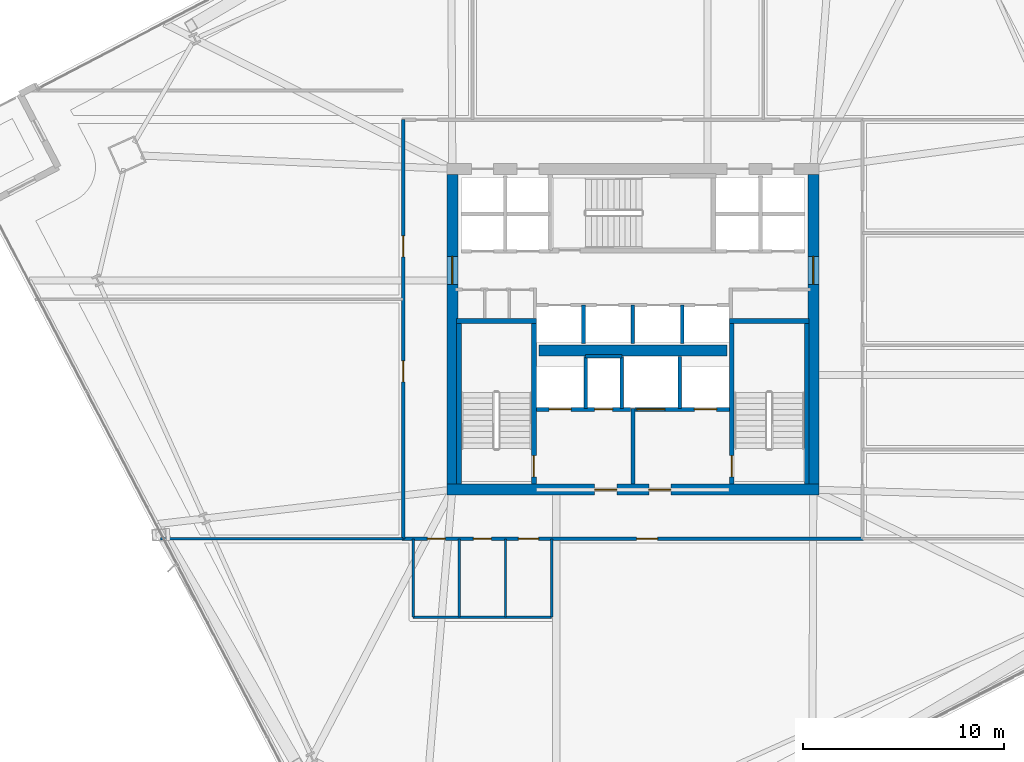
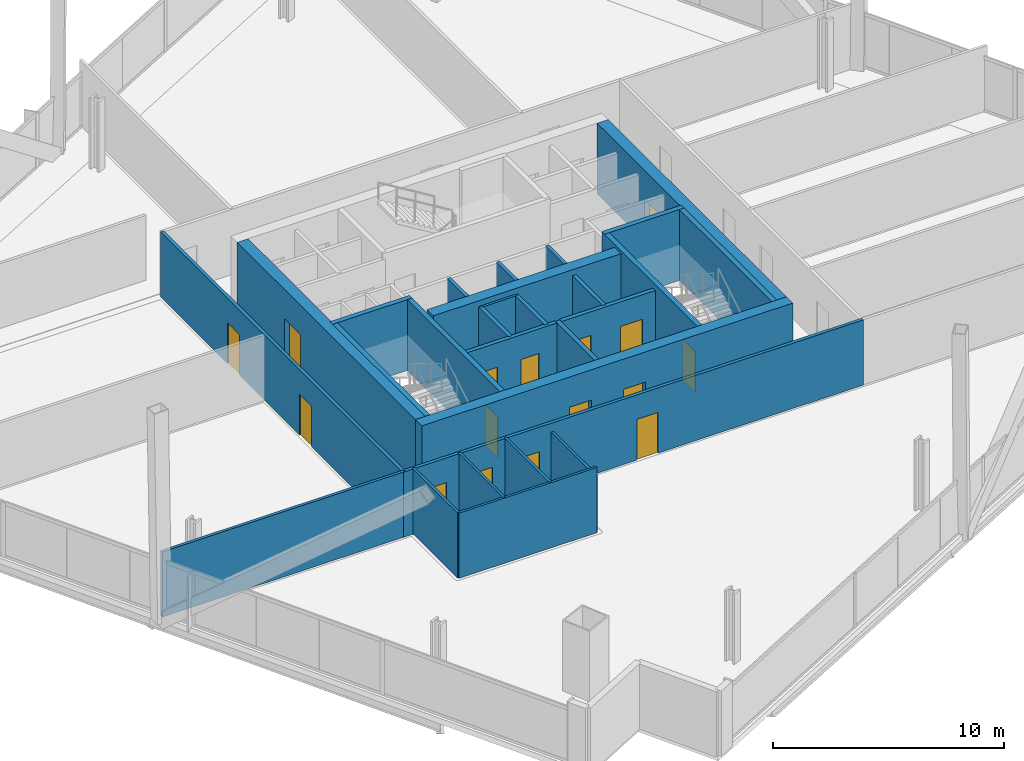
# One storey, part 26 of 33: 28 walls, 16 doors, 16 openings.
"""IFC4 building model written with IfcOpenShell, lengths in metres."""

from ifc_helpers import new_model, si_unit, direction, frame, frame_2d, origin, place, context, subcontext, project, spatial, rectangle, extrude, material, layer, layer_set, type_object, element, fill, save


model = new_model("IFC4")

# Units and contexts
model_context = context("Model", 3, precision=1e-05, world=origin(), true_north=direction((0.0, 1.0)))
body_context = subcontext(model_context, "Body", "Model", "MODEL_VIEW")
ifc_project = project(units=[si_unit("LENGTHUNIT", "METRE"), si_unit("AREAUNIT", "SQUARE_METRE"), si_unit("VOLUMEUNIT", "CUBIC_METRE"), si_unit("PLANEANGLEUNIT", "RADIAN"), si_unit("MASSUNIT", "GRAM", prefix="KILO")], contexts=[model_context])

# Site, building, storey
site_placement = place(None, origin())
site = spatial("IfcSite", under=ifc_project, at=site_placement, CompositionType="ELEMENT")
building_placement = place(site_placement, origin())
building = spatial("IfcBuilding", under=site, at=building_placement, Name="Haldenkirk Collegiate Tower", CompositionType="ELEMENT")
storey_placement = place(building_placement, frame((0.0, 0.0, 120.449951171875)))
storey = spatial("IfcBuildingStorey", under=building, at=storey_placement, Name="L29", CompositionType="ELEMENT", Elevation=120.449951171875)

# Wall, openings, doors
ifc_material_1 = material(Name="Concrete f'c 70 MPa", Category="concrete")
ifc_layer_1 = layer(ifc_material_1, 0.550048828125)
ifc_layer_set_1 = layer_set([ifc_layer_1], Name="Concrete f'c 70 MPa")
wall_type_1 = type_object("IfcWallType", Name="WL-CORE-550", PredefinedType="SHEAR", material=ifc_layer_set_1)
wall_1_placement = place(storey_placement, frame((26.72509765625, 18.0, 0.0), z_axis=(0.0, 0.0, 1.0), x_axis=(1.0, 0.0, 0.0)))
wall_1 = element("IfcWall", 1, at=wall_1_placement, inside=storey, type_object=wall_type_1, Name="L29 central core shear wall S", PredefinedType="SHEAR", context=body_context, shape_type="SweptSolid", body=[
    extrude(rectangle(XDim=18.5498046875, YDim=0.550048828125, at=frame_2d((9.27490234375, 0.0))), origin(), (0.0, 0.0, 1.0), 3.75),
])
opening_1_placement = place(wall_1_placement, frame((7.375, 0.0, 0.0)))
opening_1 = element("IfcOpeningElement", 2, at=opening_1_placement, cuts=wall_1, Name="Opening D-02", PredefinedType="OPENING", context=body_context, shape_type="SweptSolid", body=[
    extrude(rectangle(XDim=1.10009765625, YDim=2.14990234375, at=frame_2d((0.550048828125, 1.074951171875))), frame((0.0, 0.284912109375, 0.0), z_axis=(0.0, -1.0, 0.0), x_axis=(1.0, 0.0, 0.0)), (0.0, 0.0, 1.0), 0.570068359375),
])
opening_2_placement = place(wall_1_placement, frame((10.074951171875, 0.0, 0.0)))
opening_2 = element("IfcOpeningElement", 3, at=opening_2_placement, cuts=wall_1, Name="Opening D-02", PredefinedType="OPENING", context=body_context, shape_type="SweptSolid", body=[
    extrude(rectangle(XDim=1.10009765625, YDim=2.14990234375, at=frame_2d((0.550048828125, 1.074951171875))), frame((0.0, 0.284912109375, 0.0), z_axis=(0.0, -1.0, 0.0), x_axis=(1.0, 0.0, 0.0)), (0.0, 0.0, 1.0), 0.570068359375),
])
ifc_material_2 = material(Name="Galvanized fire-rated hollow steel door", Category="steel")
ifc_layer_2 = layer(ifc_material_2, 0.06005859375)
ifc_layer_set_2 = layer_set([ifc_layer_2], Name="Galvanized fire-rated hollow steel door")
door_type_1 = type_object("IfcDoorType", Name="DR-STAIR-FD90-1100", OperationType="NOTDEFINED", PredefinedType="DOOR", material=ifc_layer_set_2)
door_1_placement = place(opening_1_placement, origin())
door_1 = element("IfcDoor", 4, at=door_1_placement, inside=storey, type_object=door_type_1, Name="L29 Firefighting Lobby 1 door", OperationType="SINGLE_SWING_RIGHT", OverallHeight=2.14990234375, OverallWidth=1.10009765625, PredefinedType="DOOR", context=body_context, shape_type="SweptSolid", body=[
    extrude(rectangle(XDim=1.10009765625, YDim=2.14990234375, at=frame_2d((0.550048828125, 1.074951171875))), frame((0.0, 0.02490234375, 0.0), z_axis=(0.0, -1.0, 0.0), x_axis=(1.0, 0.0, 0.0)), (0.0, 0.0, 1.0), 0.050048828125),
])
fill(opening_1, door_1)
door_2_placement = place(opening_2_placement, origin())
door_2 = element("IfcDoor", 5, at=door_2_placement, inside=storey, type_object=door_type_1, Name="L29 Firefighting Lobby 2 door", OperationType="SINGLE_SWING_LEFT", OverallHeight=2.14990234375, OverallWidth=1.10009765625, PredefinedType="DOOR", context=body_context, shape_type="SweptSolid", body=[
    extrude(rectangle(XDim=1.10009765625, YDim=2.14990234375, at=frame_2d((0.550048828125, 1.074951171875))), frame((0.0, 0.02490234375, 0.0), z_axis=(0.0, -1.0, 0.0), x_axis=(1.0, 0.0, 0.0)), (0.0, 0.0, 1.0), 0.050048828125),
])
fill(opening_2, door_2)

# Wall, opening, door
wall_2_placement = place(storey_placement, frame((27.0, 18.27490234375, 0.0), z_axis=(0.0, 0.0, 1.0), x_axis=(0.0, 1.0, 0.0)))
wall_2 = element("IfcWall", 6, at=wall_2_placement, inside=storey, type_object=wall_type_1, Name="L29 central core shear wall W", PredefinedType="SHEAR", context=body_context, shape_type="SweptSolid", body=[
    extrude(rectangle(XDim=15.4501953125, YDim=0.550048828125, at=frame_2d((7.72509765625, 0.0))), origin(), (0.0, 0.0, 1.0), 3.75),
])
opening_3_placement = place(wall_2_placement, frame((9.965087890625, 0.0, 0.0)))
opening_3 = element("IfcOpeningElement", 7, at=opening_3_placement, cuts=wall_2, Name="Opening D-03", PredefinedType="OPENING", context=body_context, shape_type="SweptSolid", body=[
    extrude(rectangle(XDim=1.39990234375, YDim=2.199951171875, at=frame_2d((0.699951171875, 1.10009765625))), frame((0.0, 0.284912109375, 0.0), z_axis=(0.0, -1.0, 0.0), x_axis=(1.0, 0.0, 0.0)), (0.0, 0.0, 1.0), 0.570068359375),
])
ifc_layer_3 = layer(ifc_material_2, 0.06005859375)
ifc_layer_set_3 = layer_set([ifc_layer_3], Name="Galvanized fire-rated hollow steel door")
door_type_2 = type_object("IfcDoorType", Name="DR-LOBBY-FD90-1400", OperationType="NOTDEFINED", PredefinedType="DOOR", material=ifc_layer_set_3)
door_3_placement = place(opening_3_placement, origin())
door_3 = element("IfcDoor", 8, at=door_3_placement, inside=storey, type_object=door_type_2, Name="L29 west lift lobby portal", OperationType="DOUBLE_DOOR_SINGLE_SWING", OverallHeight=2.199951171875, OverallWidth=1.39990234375, PredefinedType="DOOR", context=body_context, shape_type="SweptSolid", body=[
    extrude(rectangle(XDim=1.39990234375, YDim=2.199951171875, at=frame_2d((0.699951171875, 1.10009765625))), frame((0.0, 0.02490234375, 0.0), z_axis=(0.0, -1.0, 0.0), x_axis=(1.0, 0.0, 0.0)), (0.0, 0.0, 1.0), 0.050048828125),
])
fill(opening_3, door_3)

wall_3_placement = place(storey_placement, frame((45.0, 18.27490234375, 0.0), z_axis=(0.0, 0.0, 1.0), x_axis=(0.0, 1.0, 0.0)))
wall_3 = element("IfcWall", 9, at=wall_3_placement, inside=storey, type_object=wall_type_1, Name="L29 central core shear wall E", PredefinedType="SHEAR", context=body_context, shape_type="SweptSolid", body=[
    extrude(rectangle(XDim=15.4501953125, YDim=0.550048828125, at=frame_2d((7.72509765625, 0.0))), origin(), (0.0, 0.0, 1.0), 3.75),
])
opening_4_placement = place(wall_3_placement, frame((9.965087890625, 0.0, 0.0)))
opening_4 = element("IfcOpeningElement", 10, at=opening_4_placement, cuts=wall_3, Name="Opening D-03", PredefinedType="OPENING", context=body_context, shape_type="SweptSolid", body=[
    extrude(rectangle(XDim=1.39990234375, YDim=2.199951171875, at=frame_2d((0.699951171875, 1.10009765625))), frame((0.0, 0.284912109375, 0.0), z_axis=(0.0, -1.0, 0.0), x_axis=(1.0, 0.0, 0.0)), (0.0, 0.0, 1.0), 0.570068359375),
])
door_4_placement = place(opening_4_placement, origin())
door_4 = element("IfcDoor", 11, at=door_4_placement, inside=storey, type_object=door_type_2, Name="L29 east lift lobby portal", OperationType="DOUBLE_DOOR_SINGLE_SWING", OverallHeight=2.199951171875, OverallWidth=1.39990234375, PredefinedType="DOOR", context=body_context, shape_type="SweptSolid", body=[
    extrude(rectangle(XDim=1.39990234375, YDim=2.199951171875, at=frame_2d((0.699951171875, 1.10009765625))), frame((0.0, 0.02490234375, 0.0), z_axis=(0.0, -1.0, 0.0), x_axis=(1.0, 0.0, 0.0)), (0.0, 0.0, 1.0), 0.050048828125),
])
fill(opening_4, door_4)

# Wall
wall_4_placement = place(storey_placement, frame((31.31005859375, 24.949951171875, 0.0), z_axis=(0.0, 0.0, 1.0), x_axis=(1.0, 0.0, 0.0)))
element("IfcWall", 12, at=wall_4_placement, inside=storey, type_object=wall_type_1, Name="L29 central core spine shear wall", PredefinedType="SHEAR", context=body_context, shape_type="SweptSolid", body=[
    extrude(rectangle(XDim=9.3798828125, YDim=0.550048828125, at=frame_2d((4.68994140625, 0.0))), origin(), (0.0, 0.0, 1.0), 3.75),
])

# Wall, openings, doors
ifc_material_3 = material(Name="Acoustic fire-rated gypsum partition", Category="concrete")
ifc_layer_4 = layer(ifc_material_3, 0.159912109375)
ifc_layer_set_4 = layer_set([ifc_layer_4], Name="Acoustic fire-rated gypsum partition")
wall_type_2 = type_object("IfcWallType", Name="WL-INT-CORR-160", PredefinedType="PARTITIONING", material=ifc_layer_set_4)
wall_5_placement = place(storey_placement, frame((24.5, 15.550048828125, 0.0), z_axis=(0.0, 0.0, 1.0), x_axis=(1.0, 0.0, 0.0)))
wall_5 = element("IfcWall", 13, at=wall_5_placement, inside=storey, type_object=wall_type_2, Name="L29 interior partition IW-L29-CS", PredefinedType="PARTITIONING", context=body_context, shape_type="SweptSolid", body=[
    extrude(rectangle(XDim=23.0, YDim=0.159912109375, at=frame_2d((11.5, 0.0))), origin(), (0.0, 0.0, 1.0), 3.449951171875),
])
opening_5_placement = place(wall_5_placement, frame((1.25, 0.0, 0.0)))
opening_5 = element("IfcOpeningElement", 14, at=opening_5_placement, cuts=wall_5, Name="Opening D-13", PredefinedType="OPENING", context=body_context, shape_type="SweptSolid", body=[
    extrude(rectangle(XDim=0.89990234375, YDim=2.14990234375, at=frame_2d((0.449951171875, 1.074951171875))), frame((0.0, 0.08984375, 0.0), z_axis=(0.0, -1.0, 0.0), x_axis=(1.0, 0.0, 0.0)), (0.0, 0.0, 1.0), 0.179931640625),
])
opening_6_placement = place(wall_5_placement, frame((3.550048828125, 0.0, 0.0)))
opening_6 = element("IfcOpeningElement", 15, at=opening_6_placement, cuts=wall_5, Name="Opening D-13", PredefinedType="OPENING", context=body_context, shape_type="SweptSolid", body=[
    extrude(rectangle(XDim=0.89990234375, YDim=2.14990234375, at=frame_2d((0.449951171875, 1.074951171875))), frame((0.0, 0.08984375, 0.0), z_axis=(0.0, -1.0, 0.0), x_axis=(1.0, 0.0, 0.0)), (0.0, 0.0, 1.0), 0.179931640625),
])
opening_7_placement = place(wall_5_placement, frame((5.800048828125, 0.0, 0.0)))
opening_7 = element("IfcOpeningElement", 16, at=opening_7_placement, cuts=wall_5, Name="Opening D-14", PredefinedType="OPENING", context=body_context, shape_type="SweptSolid", body=[
    extrude(rectangle(XDim=1.0, YDim=2.14990234375, at=frame_2d((0.5, 1.074951171875))), frame((0.0, 0.08984375, 0.0), z_axis=(0.0, -1.0, 0.0), x_axis=(1.0, 0.0, 0.0)), (0.0, 0.0, 1.0), 0.179931640625),
])
opening_8_placement = place(wall_5_placement, frame((11.68896484375, 0.0, 0.0)))
opening_8 = element("IfcOpeningElement", 17, at=opening_8_placement, cuts=wall_5, Name="Opening D-09", PredefinedType="OPENING", context=body_context, shape_type="SweptSolid", body=[
    extrude(rectangle(XDim=1.050048828125, YDim=2.14990234375, at=frame_2d((0.52490234375, 1.074951171875))), frame((0.0, 0.08984375, 0.0), z_axis=(0.0, -1.0, 0.0), x_axis=(1.0, 0.0, 0.0)), (0.0, 0.0, 1.0), 0.179931640625),
])
ifc_material_4 = material(Name="Solid-core architectural oak fire door", Category="wood")
ifc_layer_5 = layer(ifc_material_4, 0.06005859375)
ifc_layer_set_5 = layer_set([ifc_layer_5], Name="Solid-core architectural oak fire door")
door_type_3 = type_object("IfcDoorType", Name="DR-INT-ACC-1000", OperationType="NOTDEFINED", PredefinedType="DOOR", material=ifc_layer_set_5)
door_5_placement = place(opening_7_placement, origin())
door_5 = element("IfcDoor", 18, at=door_5_placement, inside=storey, type_object=door_type_3, Name="L29 Accessible WC door", OperationType="SINGLE_SWING_LEFT", OverallHeight=2.14990234375, OverallWidth=1.0, PredefinedType="DOOR", context=body_context, shape_type="SweptSolid", body=[
    extrude(rectangle(XDim=1.0, YDim=2.14990234375, at=frame_2d((0.5, 1.074951171875))), frame((0.0, 0.02490234375, 0.0), z_axis=(0.0, -1.0, 0.0), x_axis=(1.0, 0.0, 0.0)), (0.0, 0.0, 1.0), 0.050048828125),
])
fill(opening_7, door_5)
ifc_layer_6 = layer(ifc_material_4, 0.06005859375)
ifc_layer_set_6 = layer_set([ifc_layer_6], Name="Solid-core architectural oak fire door")
door_type_4 = type_object("IfcDoorType", Name="DR-INT-FD60-1050", OperationType="NOTDEFINED", PredefinedType="DOOR", material=ifc_layer_set_6)
door_6_placement = place(opening_8_placement, origin())
door_6 = element("IfcDoor", 19, at=door_6_placement, inside=storey, type_object=door_type_4, Name="L29 Hospitality Tea Kitchen 1 door", OperationType="SINGLE_SWING_RIGHT", OverallHeight=2.14990234375, OverallWidth=1.050048828125, PredefinedType="DOOR", context=body_context, shape_type="SweptSolid", body=[
    extrude(rectangle(XDim=1.050048828125, YDim=2.14990234375, at=frame_2d((0.52490234375, 1.074951171875))), frame((0.0, 0.02490234375, 0.0), z_axis=(0.0, -1.0, 0.0), x_axis=(1.0, 0.0, 0.0)), (0.0, 0.0, 1.0), 0.050048828125),
])
fill(opening_8, door_6)
ifc_layer_7 = layer(ifc_material_4, 0.06005859375)
ifc_layer_set_7 = layer_set([ifc_layer_7], Name="Solid-core architectural oak fire door")
door_type_5 = type_object("IfcDoorType", Name="DR-INT-STD-900", OperationType="NOTDEFINED", PredefinedType="DOOR", material=ifc_layer_set_7)
door_7_placement = place(opening_5_placement, origin())
door_7 = element("IfcDoor", 20, at=door_7_placement, inside=storey, type_object=door_type_5, Name="L29 Male WC door", OperationType="SINGLE_SWING_LEFT", OverallHeight=2.14990234375, OverallWidth=0.89990234375, PredefinedType="DOOR", context=body_context, shape_type="SweptSolid", body=[
    extrude(rectangle(XDim=0.89990234375, YDim=2.14990234375, at=frame_2d((0.449951171875, 1.074951171875))), frame((0.0, 0.02490234375, 0.0), z_axis=(0.0, -1.0, 0.0), x_axis=(1.0, 0.0, 0.0)), (0.0, 0.0, 1.0), 0.050048828125),
])
fill(opening_5, door_7)
door_8_placement = place(opening_6_placement, origin())
door_8 = element("IfcDoor", 21, at=door_8_placement, inside=storey, type_object=door_type_5, Name="L29 Female WC door", OperationType="SINGLE_SWING_RIGHT", OverallHeight=2.14990234375, OverallWidth=0.89990234375, PredefinedType="DOOR", context=body_context, shape_type="SweptSolid", body=[
    extrude(rectangle(XDim=0.89990234375, YDim=2.14990234375, at=frame_2d((0.449951171875, 1.074951171875))), frame((0.0, 0.02490234375, 0.0), z_axis=(0.0, -1.0, 0.0), x_axis=(1.0, 0.0, 0.0)), (0.0, 0.0, 1.0), 0.050048828125),
])
fill(opening_6, door_8)

wall_6_placement = place(storey_placement, frame((24.550048828125, 15.550048828125, 0.0), z_axis=(0.0, 0.0, 1.0), x_axis=(0.0, 1.0, 0.0)))
wall_6 = element("IfcWall", 22, at=wall_6_placement, inside=storey, type_object=wall_type_2, Name="L29 interior partition IW-L29-CW", PredefinedType="PARTITIONING", context=body_context, shape_type="SweptSolid", body=[
    extrude(rectangle(XDim=20.89990234375, YDim=0.159912109375, at=frame_2d((10.449951171875, 0.0))), origin(), (0.0, 0.0, 1.0), 3.449951171875),
])
opening_9_placement = place(wall_6_placement, frame((7.826904296875, 0.0, 0.0)))
opening_9 = element("IfcOpeningElement", 23, at=opening_9_placement, cuts=wall_6, Name="Opening D-09", PredefinedType="OPENING", context=body_context, shape_type="SweptSolid", body=[
    extrude(rectangle(XDim=1.050048828125, YDim=2.14990234375, at=frame_2d((0.52490234375, 1.074951171875))), frame((0.0, 0.08984375, 0.0), z_axis=(0.0, -1.0, 0.0), x_axis=(1.0, 0.0, 0.0)), (0.0, 0.0, 1.0), 0.179931640625),
])
opening_10_placement = place(wall_6_placement, frame((14.06298828125, 0.0, 0.0)))
opening_10 = element("IfcOpeningElement", 24, at=opening_10_placement, cuts=wall_6, Name="Opening D-09", PredefinedType="OPENING", context=body_context, shape_type="SweptSolid", body=[
    extrude(rectangle(XDim=1.050048828125, YDim=2.14990234375, at=frame_2d((0.52490234375, 1.074951171875))), frame((0.0, 0.08984375, 0.0), z_axis=(0.0, -1.0, 0.0), x_axis=(1.0, 0.0, 0.0)), (0.0, 0.0, 1.0), 0.179931640625),
])
door_9_placement = place(opening_9_placement, origin())
door_9 = element("IfcDoor", 25, at=door_9_placement, inside=storey, type_object=door_type_4, Name="L29 Wet Science Laboratory 5 door", OperationType="SINGLE_SWING_RIGHT", OverallHeight=2.14990234375, OverallWidth=1.050048828125, PredefinedType="DOOR", context=body_context, shape_type="SweptSolid", body=[
    extrude(rectangle(XDim=1.050048828125, YDim=2.14990234375, at=frame_2d((0.52490234375, 1.074951171875))), frame((0.0, 0.02490234375, 0.0), z_axis=(0.0, -1.0, 0.0), x_axis=(1.0, 0.0, 0.0)), (0.0, 0.0, 1.0), 0.050048828125),
])
fill(opening_9, door_9)
door_10_placement = place(opening_10_placement, origin())
door_10 = element("IfcDoor", 26, at=door_10_placement, inside=storey, type_object=door_type_4, Name="L29 Model Shop Laboratory 6 door", OperationType="SINGLE_SWING_LEFT", OverallHeight=2.14990234375, OverallWidth=1.050048828125, PredefinedType="DOOR", context=body_context, shape_type="SweptSolid", body=[
    extrude(rectangle(XDim=1.050048828125, YDim=2.14990234375, at=frame_2d((0.52490234375, 1.074951171875))), frame((0.0, 0.02490234375, 0.0), z_axis=(0.0, -1.0, 0.0), x_axis=(1.0, 0.0, 0.0)), (0.0, 0.0, 1.0), 0.050048828125),
])
fill(opening_10, door_10)

# Walls
ifc_layer_8 = layer(ifc_material_3, 0.139892578125)
ifc_layer_set_8 = layer_set([ifc_layer_8], Name="Acoustic fire-rated gypsum partition")
wall_type_3 = type_object("IfcWallType", Name="WL-INT-DIV-140", PredefinedType="PARTITIONING", material=ifc_layer_set_8)
wall_7_placement = place(storey_placement, frame((12.451904296875, 15.550048828125, 0.0), z_axis=(0.0, 0.0, 1.0), x_axis=(1.0, 0.0, 0.0)))
element("IfcWall", 27, at=wall_7_placement, inside=storey, type_object=wall_type_3, Name="L29 interior partition IW-L29-BWS", PredefinedType="PARTITIONING", context=body_context, shape_type="SweptSolid", body=[
    extrude(rectangle(XDim=12.09814453125, YDim=0.139892578125, at=frame_2d((6.049072265625, 0.0))), origin(), (0.0, 0.0, 1.0), 3.449951171875),
])
ifc_material_5 = material(Name="Fire-rated gypsum shaftboard assembly", Category="concrete")
ifc_layer_9 = layer(ifc_material_5, 0.179931640625)
ifc_layer_set_9 = layer_set([ifc_layer_9], Name="Fire-rated gypsum shaftboard assembly")
wall_type_4 = type_object("IfcWallType", Name="WL-INT-SHAFT-180", PredefinedType="PARTITIONING", material=ifc_layer_set_9)
for number, where, z_axis, x_axis, name in (
    (28, (33.64990234375, 22.050048828125, 0.0), (0.0, 0.0, 1.0), (0.0, 1.0, 0.0), "L29 interior partition IW-L29-FL1E"),
    (29, (35.449951171875, 22.050048828125, 0.0), (0.0, 0.0, 1.0), (0.0, 1.0, 0.0), "L29 interior partition IW-L29-GL1W"),
):
    element("IfcWall", number, at=place(storey_placement, frame(where, z_axis=z_axis, x_axis=x_axis)), inside=storey, type_object=wall_type_4, Name=name, PredefinedType="PARTITIONING", context=body_context, shape_type="SweptSolid", body=[
        extrude(rectangle(XDim=2.599853515625, YDim=0.179931640625, at=frame_2d((1.2998046875, 0.0))), origin(), (0.0, 0.0, 1.0), 3.449951171875),
    ])
wall_8_placement = place(storey_placement, frame((33.64990234375, 24.64990234375, 0.0), z_axis=(0.0, 0.0, 1.0), x_axis=(1.0, 0.0, 0.0)))
element("IfcWall", 30, at=wall_8_placement, inside=storey, type_object=wall_type_4, Name="L29 interior partition IW-L29-RSRN", PredefinedType="PARTITIONING", context=body_context, shape_type="SweptSolid", body=[
    extrude(rectangle(XDim=1.800048828125, YDim=0.179931640625, at=frame_2d((0.89990234375, 0.0))), origin(), (0.0, 0.0, 1.0), 3.449951171875),
])
wall_9_placement = place(storey_placement, frame((38.35009765625, 22.050048828125, 0.0), z_axis=(0.0, 0.0, 1.0), x_axis=(0.0, 1.0, 0.0)))
element("IfcWall", 31, at=wall_9_placement, inside=storey, type_object=wall_type_4, Name="L29 interior partition IW-L29-GL1E", PredefinedType="PARTITIONING", context=body_context, shape_type="SweptSolid", body=[
    extrude(rectangle(XDim=2.599853515625, YDim=0.179931640625, at=frame_2d((1.2998046875, 0.0))), origin(), (0.0, 0.0, 1.0), 3.449951171875),
])
for number, where, z_axis, x_axis, name in (
    (32, (33.5400390625, 25.300048828125, 0.0), (0.0, 0.0, 1.0), (0.0, 1.0, 0.0), "L29 interior partition IW-L29-PHV1"),
    (33, (36.0, 25.300048828125, 0.0), (0.0, 0.0, 1.0), (0.0, 1.0, 0.0), "L29 interior partition IW-L29-PHV2"),
    (34, (38.4599609375, 25.300048828125, 0.0), (0.0, 0.0, 1.0), (0.0, 1.0, 0.0), "L29 interior partition IW-L29-PHV3"),
):
    element("IfcWall", number, at=place(storey_placement, frame(where, z_axis=z_axis, x_axis=x_axis)), inside=storey, type_object=wall_type_4, Name=name, PredefinedType="PARTITIONING", context=body_context, shape_type="SweptSolid", body=[
        extrude(rectangle(XDim=1.89990234375, YDim=0.179931640625, at=frame_2d((0.949951171875, 0.0))), origin(), (0.0, 0.0, 1.0), 3.449951171875),
    ])
ifc_layer_10 = layer(ifc_material_5, 0.199951171875)
ifc_layer_set_10 = layer_set([ifc_layer_10], Name="Fire-rated gypsum shaftboard assembly")
wall_type_5 = type_object("IfcWallType", Name="WL-INT-SHAFT-200", PredefinedType="PARTITIONING", material=ifc_layer_set_10)
wall_10_placement = place(storey_placement, frame((36.0, 18.280029296875, 0.0), z_axis=(0.0, 0.0, 1.0), x_axis=(0.0, 1.0, 0.0)))
element("IfcWall", 35, at=wall_10_placement, inside=storey, type_object=wall_type_5, Name="L29 interior partition IW-L29-FFLM", PredefinedType="PARTITIONING", context=body_context, shape_type="SweptSolid", body=[
    extrude(rectangle(XDim=3.77001953125, YDim=0.199951171875, at=frame_2d((1.885009765625, 0.0))), origin(), (0.0, 0.0, 1.0), 3.449951171875),
])

# Wall, openings, doors
wall_11_placement = place(storey_placement, frame((31.18994140625, 22.0, 0.0), z_axis=(0.0, 0.0, 1.0), x_axis=(1.0, 0.0, 0.0)))
wall_11 = element("IfcWall", 36, at=wall_11_placement, inside=storey, type_object=wall_type_5, Name="L29 interior partition IW-L29-FFL1N", PredefinedType="PARTITIONING", context=body_context, shape_type="SweptSolid", body=[
    extrude(rectangle(XDim=4.68994140625, YDim=0.199951171875, at=frame_2d((2.344970703125, 0.0))), origin(), (0.0, 0.0, 1.0), 3.449951171875),
])
opening_11_placement = place(wall_11_placement, frame((2.909912109375, 0.0, 0.0)))
opening_11 = element("IfcOpeningElement", 37, at=opening_11_placement, cuts=wall_11, Name="Opening D-06", PredefinedType="OPENING", context=body_context, shape_type="SweptSolid", body=[
    extrude(rectangle(XDim=0.89990234375, YDim=2.14990234375, at=frame_2d((0.449951171875, 1.074951171875))), frame((0.0, 0.10986328125, 0.0), z_axis=(0.0, -1.0, 0.0), x_axis=(1.0, 0.0, 0.0)), (0.0, 0.0, 1.0), 0.219970703125),
])
opening_12_placement = place(wall_11_placement, frame((0.635009765625, 0.0, 0.0)))
opening_12 = element("IfcOpeningElement", 38, at=opening_12_placement, cuts=wall_11, Name="Opening LD-12", PredefinedType="OPENING", context=body_context, shape_type="SweptSolid", body=[
    extrude(rectangle(XDim=1.10009765625, YDim=2.14990234375, at=frame_2d((0.550048828125, 1.074951171875))), frame((0.0, 0.10986328125, 0.0), z_axis=(0.0, -1.0, 0.0), x_axis=(1.0, 0.0, 0.0)), (0.0, 0.0, 1.0), 0.219970703125),
])
ifc_layer_11 = layer(ifc_material_2, 0.06005859375)
ifc_layer_set_11 = layer_set([ifc_layer_11], Name="Galvanized fire-rated hollow steel door")
door_type_6 = type_object("IfcDoorType", Name="DR-INT-FD90-900", OperationType="NOTDEFINED", PredefinedType="DOOR", material=ifc_layer_set_11)
door_11_placement = place(opening_11_placement, origin())
door_11 = element("IfcDoor", 39, at=door_11_placement, inside=storey, type_object=door_type_6, Name="L29 electrical riser door", OperationType="SINGLE_SWING_RIGHT", OverallHeight=2.14990234375, OverallWidth=0.89990234375, PredefinedType="DOOR", context=body_context, shape_type="SweptSolid", body=[
    extrude(rectangle(XDim=0.89990234375, YDim=2.14990234375, at=frame_2d((0.449951171875, 1.074951171875))), frame((0.0, 0.02490234375, 0.0), z_axis=(0.0, -1.0, 0.0), x_axis=(1.0, 0.0, 0.0)), (0.0, 0.0, 1.0), 0.050048828125),
])
fill(opening_11, door_11)
ifc_material_6 = material(Name="Brushed architectural stainless steel", Category="steel")
ifc_layer_12 = layer(ifc_material_6, 0.06005859375)
ifc_layer_set_12 = layer_set([ifc_layer_12], Name="Brushed architectural stainless steel")
door_type_7 = type_object("IfcDoorType", Name="LD-FIRE-1100", OperationType="NOTDEFINED", PredefinedType="DOOR", material=ifc_layer_set_12)
door_12_placement = place(opening_12_placement, origin())
door_12 = element("IfcDoor", 40, at=door_12_placement, inside=storey, type_object=door_type_7, Name="L29 Elevator FL1 sliding landing door", OperationType="SLIDING_TO_LEFT", OverallHeight=2.14990234375, OverallWidth=1.10009765625, PredefinedType="DOOR", context=body_context, shape_type="SweptSolid", body=[
    extrude(rectangle(XDim=1.10009765625, YDim=2.14990234375, at=frame_2d((0.550048828125, 1.074951171875))), frame((0.0, 0.02490234375, 0.0), z_axis=(0.0, -1.0, 0.0), x_axis=(1.0, 0.0, 0.0)), (0.0, 0.0, 1.0), 0.050048828125),
])
fill(opening_12, door_12)

wall_12_placement = place(storey_placement, frame((36.1201171875, 22.0, 0.0), z_axis=(0.0, 0.0, 1.0), x_axis=(1.0, 0.0, 0.0)))
wall_12 = element("IfcWall", 41, at=wall_12_placement, inside=storey, type_object=wall_type_5, Name="L29 interior partition IW-L29-FFL2N", PredefinedType="PARTITIONING", context=body_context, shape_type="SweptSolid", body=[
    extrude(rectangle(XDim=4.68994140625, YDim=0.199951171875, at=frame_2d((2.344970703125, 0.0))), origin(), (0.0, 0.0, 1.0), 3.449951171875),
])
opening_13_placement = place(wall_12_placement, frame((2.955078125, 0.0, 0.0)))
opening_13 = element("IfcOpeningElement", 42, at=opening_13_placement, cuts=wall_12, Name="Opening LD-12", PredefinedType="OPENING", context=body_context, shape_type="SweptSolid", body=[
    extrude(rectangle(XDim=1.10009765625, YDim=2.14990234375, at=frame_2d((0.550048828125, 1.074951171875))), frame((0.0, 0.10986328125, 0.0), z_axis=(0.0, -1.0, 0.0), x_axis=(1.0, 0.0, 0.0)), (0.0, 0.0, 1.0), 0.219970703125),
])
opening_14_placement = place(wall_12_placement, frame((0.080078125, 0.0, 0.0)))
opening_14 = element("IfcOpeningElement", 43, at=opening_14_placement, cuts=wall_12, Name="Opening LD-13", PredefinedType="OPENING", context=body_context, shape_type="SweptSolid", body=[
    extrude(rectangle(XDim=1.39990234375, YDim=2.199951171875, at=frame_2d((0.699951171875, 1.10009765625))), frame((0.0, 0.10986328125, 0.0), z_axis=(0.0, -1.0, 0.0), x_axis=(1.0, 0.0, 0.0)), (0.0, 0.0, 1.0), 0.219970703125),
])
door_13_placement = place(opening_13_placement, origin())
door_13 = element("IfcDoor", 44, at=door_13_placement, inside=storey, type_object=door_type_7, Name="L29 Elevator FL2 sliding landing door", OperationType="SLIDING_TO_LEFT", OverallHeight=2.14990234375, OverallWidth=1.10009765625, PredefinedType="DOOR", context=body_context, shape_type="SweptSolid", body=[
    extrude(rectangle(XDim=1.10009765625, YDim=2.14990234375, at=frame_2d((0.550048828125, 1.074951171875))), frame((0.0, 0.02490234375, 0.0), z_axis=(0.0, -1.0, 0.0), x_axis=(1.0, 0.0, 0.0)), (0.0, 0.0, 1.0), 0.050048828125),
])
fill(opening_13, door_13)
ifc_layer_13 = layer(ifc_material_6, 0.06005859375)
ifc_layer_set_13 = layer_set([ifc_layer_13], Name="Brushed architectural stainless steel")
door_type_8 = type_object("IfcDoorType", Name="LD-GOODS-1400", OperationType="NOTDEFINED", PredefinedType="DOOR", material=ifc_layer_set_13)
door_14_placement = place(opening_14_placement, origin())
door_14 = element("IfcDoor", 45, at=door_14_placement, inside=storey, type_object=door_type_8, Name="L29 Elevator GL1 sliding landing door", OperationType="SLIDING_TO_LEFT", OverallHeight=2.199951171875, OverallWidth=1.39990234375, PredefinedType="DOOR", context=body_context, shape_type="SweptSolid", body=[
    extrude(rectangle(XDim=1.39990234375, YDim=2.199951171875, at=frame_2d((0.699951171875, 1.10009765625))), frame((0.0, 0.02490234375, 0.0), z_axis=(0.0, -1.0, 0.0), x_axis=(1.0, 0.0, 0.0)), (0.0, 0.0, 1.0), 0.050048828125),
])
fill(opening_14, door_14)

# Walls
ifc_layer_14 = layer(ifc_material_3, 0.1201171875)
ifc_layer_set_14 = layer_set([ifc_layer_14], Name="Acoustic fire-rated gypsum partition")
wall_type_6 = type_object("IfcWallType", Name="WL-INT-WET-120", PredefinedType="PARTITIONING", material=ifc_layer_set_14)
for number, where, z_axis, x_axis, name in (
    (46, (25.050048828125, 11.64990234375, 0.0), (0.0, 0.0, 1.0), (0.0, 1.0, 0.0), "L29 interior partition IW-L29-WCW"),
    (47, (27.35009765625, 11.64990234375, 0.0), (0.0, 0.0, 1.0), (0.0, 1.0, 0.0), "L29 interior partition IW-L29-WC1"),
    (48, (29.64990234375, 11.64990234375, 0.0), (0.0, 0.0, 1.0), (0.0, 1.0, 0.0), "L29 interior partition IW-L29-WC2"),
):
    element("IfcWall", number, at=place(storey_placement, frame(where, z_axis=z_axis, x_axis=x_axis)), inside=storey, type_object=wall_type_6, Name=name, PredefinedType="PARTITIONING", context=body_context, shape_type="SweptSolid", body=[
        extrude(rectangle(XDim=3.900146484375, YDim=0.1201171875, at=frame_2d((1.9501953125, 0.0))), origin(), (0.0, 0.0, 1.0), 3.449951171875),
    ])
wall_13_placement = place(storey_placement, frame((31.949951171875, 11.64990234375, 0.0), z_axis=(0.0, 0.0, 1.0), x_axis=(0.0, 1.0, 0.0)))
element("IfcWall", 49, at=wall_13_placement, inside=storey, type_object=wall_type_6, Name="L29 interior partition IW-L29-WCE", PredefinedType="PARTITIONING", context=body_context, shape_type="SweptSolid", body=[
    extrude(rectangle(XDim=3.900146484375, YDim=0.1201171875, at=frame_2d((1.9501953125, 0.0))), origin(), (0.0, 0.0, 1.0), 2.98193359375),
])
wall_14_placement = place(storey_placement, frame((25.050048828125, 11.64990234375, 0.0), z_axis=(0.0, 0.0, 1.0), x_axis=(1.0, 0.0, 0.0)))
element("IfcWall", 50, at=wall_14_placement, inside=storey, type_object=wall_type_6, Name="L29 interior partition IW-L29-WCB", PredefinedType="PARTITIONING", context=body_context, shape_type="SweptSolid", body=[
    extrude(rectangle(XDim=6.89990234375, YDim=0.1201171875, at=frame_2d((3.449951171875, 0.0))), origin(), (0.0, 0.0, 1.0), 3.449951171875),
])

# Wall, opening, door
ifc_material_7 = material(Name="Concrete f'c 55 MPa", Category="concrete")
ifc_layer_15 = layer(ifc_material_7, 0.239990234375)
ifc_layer_set_15 = layer_set([ifc_layer_15], Name="Concrete f'c 55 MPa")
wall_type_7 = type_object("IfcWallType", Name="WL-SHAFT-240", PredefinedType="SHEAR", material=ifc_layer_set_15)
wall_15_placement = place(storey_placement, frame((31.070068359375, 18.280029296875, 0.0), z_axis=(0.0, 0.0, 1.0), x_axis=(0.0, 1.0, 0.0)))
wall_15 = element("IfcWall", 51, at=wall_15_placement, inside=storey, type_object=wall_type_7, Name="L29 stair shaft shear wall SW-L29-ST1E", PredefinedType="SHEAR", context=body_context, shape_type="SweptSolid", body=[
    extrude(rectangle(XDim=8.260009765625, YDim=0.239990234375, at=frame_2d((4.1298828125, 0.0))), origin(), (0.0, 0.0, 1.0), 3.75),
])
opening_15_placement = place(wall_15_placement, frame((0.364990234375, 0.0, 0.0)))
opening_15 = element("IfcOpeningElement", 52, at=opening_15_placement, cuts=wall_15, Name="Opening D-01", PredefinedType="OPENING", context=body_context, shape_type="SweptSolid", body=[
    extrude(rectangle(XDim=1.050048828125, YDim=2.14990234375, at=frame_2d((0.52490234375, 1.074951171875))), frame((0.0, 0.1298828125, 0.0), z_axis=(0.0, -1.0, 0.0), x_axis=(1.0, 0.0, 0.0)), (0.0, 0.0, 1.0), 0.260009765625),
])
ifc_layer_16 = layer(ifc_material_2, 0.06005859375)
ifc_layer_set_16 = layer_set([ifc_layer_16], Name="Galvanized fire-rated hollow steel door")
door_type_9 = type_object("IfcDoorType", Name="DR-STAIR-FD90-1050", OperationType="NOTDEFINED", PredefinedType="DOOR", material=ifc_layer_set_16)
door_15_placement = place(opening_15_placement, origin())
door_15 = element("IfcDoor", 53, at=door_15_placement, inside=storey, type_object=door_type_9, Name="L29 Stair 1 door", OperationType="SINGLE_SWING_LEFT", OverallHeight=2.14990234375, OverallWidth=1.050048828125, PredefinedType="DOOR", context=body_context, shape_type="SweptSolid", body=[
    extrude(rectangle(XDim=1.050048828125, YDim=2.14990234375, at=frame_2d((0.52490234375, 1.074951171875))), frame((0.0, 0.02490234375, 0.0), z_axis=(0.0, -1.0, 0.0), x_axis=(1.0, 0.0, 0.0)), (0.0, 0.0, 1.0), 0.050048828125),
])
fill(opening_15, door_15)

# Walls
wall_16_placement = place(storey_placement, frame((27.2099609375, 26.419921875, 0.0), z_axis=(0.0, 0.0, 1.0), x_axis=(1.0, 0.0, 0.0)))
element("IfcWall", 54, at=wall_16_placement, inside=storey, type_object=wall_type_7, Name="L29 stair shaft shear wall SW-L29-ST1N", PredefinedType="SHEAR", context=body_context, shape_type="SweptSolid", body=[
    extrude(rectangle(XDim=3.97998046875, YDim=0.239990234375, at=frame_2d((1.989990234375, 0.0))), origin(), (0.0, 0.0, 1.0), 3.75),
])
wall_17_placement = place(storey_placement, frame((27.330078125, 18.280029296875, 0.0), z_axis=(0.0, 0.0, 1.0), x_axis=(0.0, 1.0, 0.0)))
element("IfcWall", 55, at=wall_17_placement, inside=storey, type_object=wall_type_7, Name="L29 stair shaft shear wall SW-L29-ST1W", PredefinedType="SHEAR", context=body_context, shape_type="SweptSolid", body=[
    extrude(rectangle(XDim=8.260009765625, YDim=0.239990234375, at=frame_2d((4.1298828125, 0.0))), origin(), (0.0, 0.0, 1.0), 3.75),
])

# Wall, opening, door
wall_18_placement = place(storey_placement, frame((40.929931640625, 18.280029296875, 0.0), z_axis=(0.0, 0.0, 1.0), x_axis=(0.0, 1.0, 0.0)))
wall_18 = element("IfcWall", 56, at=wall_18_placement, inside=storey, type_object=wall_type_7, Name="L29 stair shaft shear wall SW-L29-ST2W", PredefinedType="SHEAR", context=body_context, shape_type="SweptSolid", body=[
    extrude(rectangle(XDim=8.260009765625, YDim=0.239990234375, at=frame_2d((4.1298828125, 0.0))), origin(), (0.0, 0.0, 1.0), 3.75),
])
opening_16_placement = place(wall_18_placement, frame((0.364990234375, 0.0, 0.0)))
opening_16 = element("IfcOpeningElement", 57, at=opening_16_placement, cuts=wall_18, Name="Opening D-01", PredefinedType="OPENING", context=body_context, shape_type="SweptSolid", body=[
    extrude(rectangle(XDim=1.050048828125, YDim=2.14990234375, at=frame_2d((0.52490234375, 1.074951171875))), frame((0.0, 0.1298828125, 0.0), z_axis=(0.0, -1.0, 0.0), x_axis=(1.0, 0.0, 0.0)), (0.0, 0.0, 1.0), 0.260009765625),
])
door_16_placement = place(opening_16_placement, origin())
door_16 = element("IfcDoor", 58, at=door_16_placement, inside=storey, type_object=door_type_9, Name="L29 Stair 2 door", OperationType="SINGLE_SWING_RIGHT", OverallHeight=2.14990234375, OverallWidth=1.050048828125, PredefinedType="DOOR", context=body_context, shape_type="SweptSolid", body=[
    extrude(rectangle(XDim=1.050048828125, YDim=2.14990234375, at=frame_2d((0.52490234375, 1.074951171875))), frame((0.0, 0.02490234375, 0.0), z_axis=(0.0, -1.0, 0.0), x_axis=(1.0, 0.0, 0.0)), (0.0, 0.0, 1.0), 0.050048828125),
])
fill(opening_16, door_16)

# Walls
wall_19_placement = place(storey_placement, frame((40.81005859375, 26.419921875, 0.0), z_axis=(0.0, 0.0, 1.0), x_axis=(1.0, 0.0, 0.0)))
element("IfcWall", 59, at=wall_19_placement, inside=storey, type_object=wall_type_7, Name="L29 stair shaft shear wall SW-L29-ST2N", PredefinedType="SHEAR", context=body_context, shape_type="SweptSolid", body=[
    extrude(rectangle(XDim=3.97998046875, YDim=0.239990234375, at=frame_2d((1.989990234375, 0.0))), origin(), (0.0, 0.0, 1.0), 3.75),
])
wall_20_placement = place(storey_placement, frame((44.669921875, 18.280029296875, 0.0), z_axis=(0.0, 0.0, 1.0), x_axis=(0.0, 1.0, 0.0)))
element("IfcWall", 60, at=wall_20_placement, inside=storey, type_object=wall_type_7, Name="L29 stair shaft shear wall SW-L29-ST2E", PredefinedType="SHEAR", context=body_context, shape_type="SweptSolid", body=[
    extrude(rectangle(XDim=8.260009765625, YDim=0.239990234375, at=frame_2d((4.1298828125, 0.0))), origin(), (0.0, 0.0, 1.0), 3.75),
])

save(model, "model.ifc")
